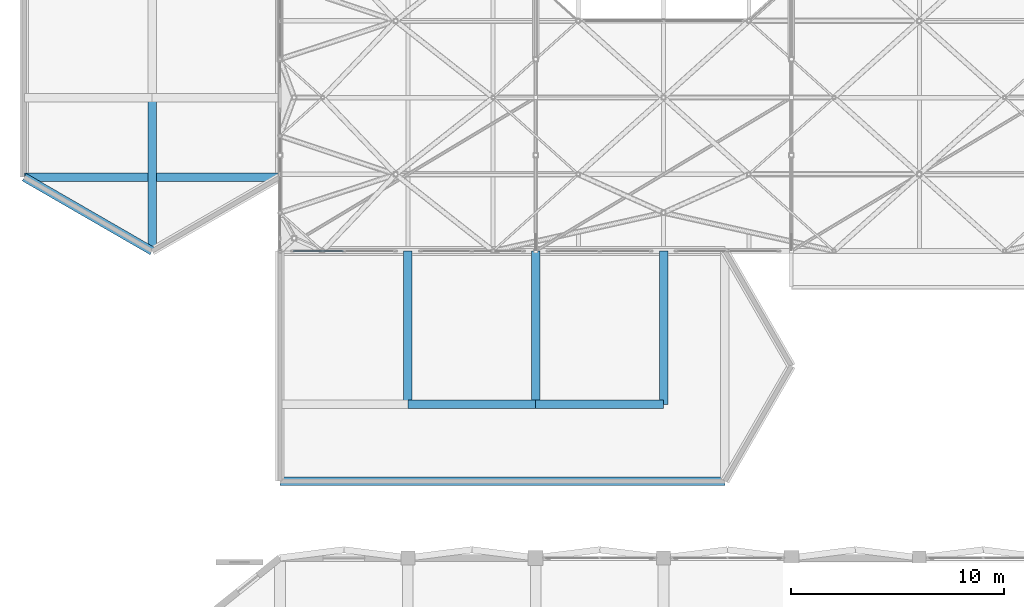
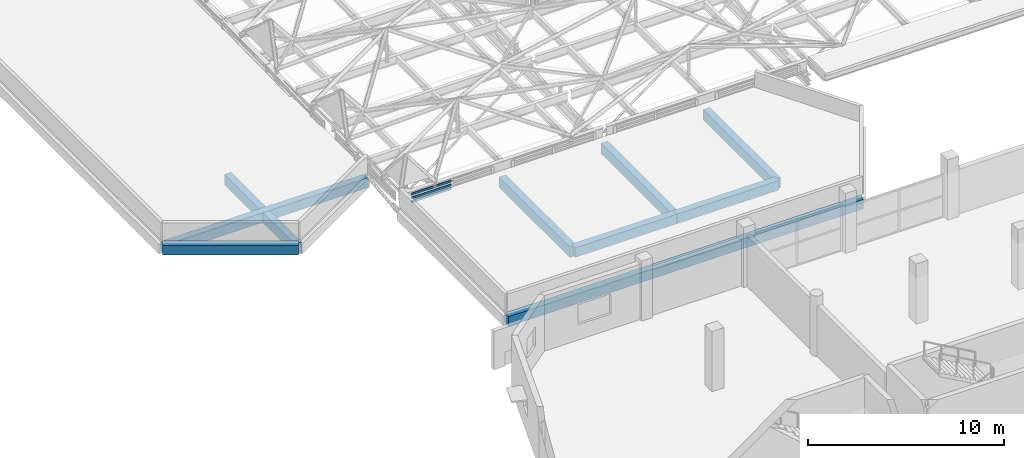
# One storey, part 6 of 239: 9 beams, 3 members, 1 element without a shape of its own.
"""IFC4 building model written with IfcOpenShell, lengths in metres."""

import ifcopenshell
import ifcopenshell.guid

model = None  # the IFC model being written
_history = None  # IfcOwnerHistory: only IFC2X3 demands one
_inside = {}  # id of a spatial element -> (the spatial element, [elements in it])
_under = {}  # id of a project, library or spatial element -> (it, [spatial elements below it])
_declared = {}  # id of a project -> (the project, [libraries it declares])
_typed = {}  # id of a type object -> (the type object, [elements of that type])
_made_of = {}  # id of a material, layer set ... -> (it, [elements and type objects made of it])


def new_model(schema):
    """Start an empty IFC model of exactly this schema.

    Asked for "IFC4X3", IfcOpenShell would pick the latest addendum, in which some entities
    have other attributes; the version numbers below select the first issue.
    IFC2X3 requires an IfcOwnerHistory on every rooted entity: one is made here for all.
    """
    global model, _history
    if schema == "IFC4X3":
        model = ifcopenshell.file(schema_version=(4, 3, 0, 0))
    else:
        model = ifcopenshell.file(schema=schema)
    _inside.clear()
    _under.clear()
    _declared.clear()
    _typed.clear()
    _made_of.clear()
    _history = None
    if model.schema == "IFC2X3":
        org = make("IfcOrganization", Name="unknown")
        user = make(
            "IfcPersonAndOrganization",
            ThePerson=make("IfcPerson", FamilyName="unknown"),
            TheOrganization=org,
        )
        app = make(
            "IfcApplication",
            ApplicationDeveloper=org,
            Version="unknown",
            ApplicationFullName="unknown",
            ApplicationIdentifier="unknown",
        )
        _history = make(
            "IfcOwnerHistory",
            OwningUser=user,
            OwningApplication=app,
            ChangeAction="ADDED",
            CreationDate=0,
        )
    return model


def make(cls, **values):
    """One entity of the class cls with the attributes given. An attribute that is None is left unset."""
    return model.create_entity(
        cls, **{name: value for name, value in values.items() if value is not None}
    )


def rooted(cls, **values):
    """An entity with a GlobalId (a new one), such as an element, a storey or a relation."""
    return make(cls, GlobalId=ifcopenshell.guid.new(), OwnerHistory=_history, **values)


def si_unit(unit_type, name, prefix=None):
    """IfcSIUnit, for example si_unit("LENGTHUNIT", "METRE", prefix="MILLI")."""
    return make("IfcSIUnit", UnitType=unit_type, Prefix=prefix, Name=name)


def assignment(units):
    """IfcUnitAssignment: the units of a project."""
    return None if units is None else make("IfcUnitAssignment", Units=units)


def point(xyz):
    """IfcCartesianPoint."""
    return None if xyz is None else make("IfcCartesianPoint", Coordinates=xyz)


def direction(xyz):
    """IfcDirection."""
    return None if xyz is None else make("IfcDirection", DirectionRatios=xyz)


def frame(location, z_axis=None, x_axis=None):
    """IfcAxis2Placement3D, a coordinate frame: its origin and axes. An axis left out is left unset."""
    return make(
        "IfcAxis2Placement3D",
        Location=point(location),
        Axis=direction(z_axis),
        RefDirection=direction(x_axis),
    )


def frame_2d(location, x_axis=None):
    """IfcAxis2Placement2D, a coordinate frame in the plane: its origin and x axis."""
    return make(
        "IfcAxis2Placement2D", Location=point(location), RefDirection=direction(x_axis)
    )


def origin():
    """The frame at (0, 0, 0) with its axes left unset."""
    return frame((0.0, 0.0, 0.0))


def origin_2d():
    """The frame at (0, 0) in the plane with its x axis left unset."""
    return frame_2d((0.0, 0.0))


def place(relative_to, where):
    """IfcLocalPlacement: puts the frame where relative to a parent placement (None: the world)."""
    return make(
        "IfcLocalPlacement", PlacementRelTo=relative_to, RelativePlacement=where
    )


def context(
    kind, dimensions, precision=None, world=None, true_north=None, identifier=None
):
    """IfcGeometricRepresentationContext, for example the 3D "Model" context."""
    return make(
        "IfcGeometricRepresentationContext",
        ContextIdentifier=identifier,
        ContextType=kind,
        CoordinateSpaceDimension=dimensions,
        Precision=precision,
        WorldCoordinateSystem=world,
        TrueNorth=true_north,
    )


def subcontext(parent, identifier, kind, view, scale=None):
    """IfcGeometricRepresentationSubContext, for example "Body" below "Model"."""
    return make(
        "IfcGeometricRepresentationSubContext",
        ContextIdentifier=identifier,
        ContextType=kind,
        ParentContext=parent,
        TargetScale=scale,
        TargetView=view,
    )


def project(units=None, contexts=None):
    """IfcProject with its units and contexts."""
    return rooted(
        "IfcProject",
        Name="project",
        RepresentationContexts=contexts,
        UnitsInContext=assignment(units),
    )


def spatial(cls, under=None, at=None, **own):
    """A site, building, storey or space (cls), placed at a placement, below another one or the project."""
    s = rooted(cls, ObjectPlacement=at, **own)
    if under is not None:
        _under.setdefault(under.id(), (under, []))[1].append(s)
    return s


def profile(cls, at=None, kind="AREA", **sizes):
    """A parametric profile (cls). Its sizes go by their IFC names, for example OverallWidth=200.0."""
    return make(cls, ProfileType=kind, Position=at, **sizes)


def rectangle(**sizes):
    """IfcRectangleProfileDef."""
    return profile("IfcRectangleProfileDef", **sizes)


def hollow_rectangle(**sizes):
    """IfcRectangleHollowProfileDef."""
    return profile("IfcRectangleHollowProfileDef", **sizes)


def extrude(swept, where, along, depth):
    """IfcExtrudedAreaSolid: the profile swept, set in the frame where, extruded along a direction by depth."""
    return make(
        "IfcExtrudedAreaSolid",
        SweptArea=swept,
        Position=where,
        ExtrudedDirection=direction(along),
        Depth=depth,
    )


def shape(context_of_items, identifier, shape_type, items):
    """IfcShapeRepresentation: the items that make up one representation, for example the "Body"."""
    return make(
        "IfcShapeRepresentation",
        ContextOfItems=context_of_items,
        RepresentationIdentifier=identifier,
        RepresentationType=shape_type,
        Items=items,
    )


def material(Name=None, Category=None):
    """IfcMaterial."""
    return make("IfcMaterial", Name=Name, Category=Category)


def layer(
    of_material, thickness, ventilated=None, Name=None, Category=None, Priority=None
):
    """IfcMaterialLayer: one layer of a wall or slab, of a material (None: an air gap)."""
    return make(
        "IfcMaterialLayer",
        Material=of_material,
        LayerThickness=thickness,
        IsVentilated=ventilated,
        Name=Name,
        Category=Category,
        Priority=Priority,
    )


def layer_set(layers, Name=None):
    """IfcMaterialLayerSet."""
    return make("IfcMaterialLayerSet", MaterialLayers=layers, LayerSetName=Name)


def material_profile(
    of_material, cross_section, Name=None, Category=None, Priority=None
):
    """IfcMaterialProfile: a cross section and its material."""
    return make(
        "IfcMaterialProfile",
        Name=Name,
        Material=of_material,
        Profile=cross_section,
        Priority=Priority,
        Category=Category,
    )


def profile_set(profiles, Name=None, composite=None):
    """IfcMaterialProfileSet."""
    return make(
        "IfcMaterialProfileSet",
        Name=Name,
        MaterialProfiles=profiles,
        CompositeProfile=composite,
    )


def made_of(thing, what):
    """Note that an element or type object is made of a material, layer set ...; save() writes the relation."""
    if what is not None:
        _made_of.setdefault(what.id(), (what, []))[1].append(thing)
    return thing


def type_object(cls, material=None, **own):
    """A type object (cls), such as IfcWallType, which elements share."""
    return made_of(rooted(cls, **own), material)


def element(
    cls,
    number,
    at=None,
    inside=None,
    cuts=None,
    type_object=None,
    material=None,
    context=None,
    identifier="Body",
    shape_type=None,
    held_by="IfcProductDefinitionShape",
    body=None,
    shapes=None,
    **own,
):
    """One element of the class cls, such as IfcWall. Its Tag is "e" and its number.

    at: its placement. inside: the storey or other place that contains it. cuts: it is an
    opening in that element (IfcRelVoidsElement). A single representation is given by context,
    identifier, shape_type and body (its items); several are given by shapes. held_by: the class
    of the entity that holds the representations. save() writes the other relations.
    """
    e = rooted(cls, Tag="e%d" % number, ObjectPlacement=at, **own)
    if body is not None:
        shapes = [shape(context, identifier, shape_type, body)]
    if shapes is not None:
        e.Representation = make(held_by, Representations=shapes)
    if inside is not None:
        _inside.setdefault(inside.id(), (inside, []))[1].append(e)
    if cuts is not None:
        rooted(
            "IfcRelVoidsElement", RelatingBuildingElement=cuts, RelatedOpeningElement=e
        )
    if type_object is not None:
        _typed.setdefault(type_object.id(), (type_object, []))[1].append(e)
    return made_of(e, material)


def aggregate(whole, parts):
    """IfcRelAggregates: a whole, such as a stair, and the parts it consists of."""
    return rooted("IfcRelAggregates", RelatingObject=whole, RelatedObjects=parts)


def save(model, path):
    """Write the relations noted so far, then the file.

    IfcRelAggregates (storeys below a building ...), IfcRelContainedInSpatialStructure (elements
    in a storey), IfcRelDefinesByType, IfcRelAssociatesMaterial and IfcRelDeclares: one each for
    every whole, place, type object, material and project.
    """
    for whole, parts in _under.values():
        aggregate(whole, parts)
    for where, things in _inside.values():
        rooted(
            "IfcRelContainedInSpatialStructure",
            RelatedElements=things,
            RelatingStructure=where,
        )
    for kind, things in _typed.values():
        rooted("IfcRelDefinesByType", RelatedObjects=things, RelatingType=kind)
    for what, things in _made_of.values():
        rooted("IfcRelAssociatesMaterial", RelatedObjects=things, RelatingMaterial=what)
    for by, libraries in _declared.values():
        rooted("IfcRelDeclares", RelatingContext=by, RelatedDefinitions=libraries)
    model.write(path)


model = new_model("IFC4")

# Units and contexts
model_context = context("Model", 3, precision=1e-05, world=origin(), true_north=direction((0.0, 1.0)))
body_context = subcontext(model_context, "Body", "Model", "MODEL_VIEW")
ifc_project = project(units=[si_unit("LENGTHUNIT", "METRE"), si_unit("AREAUNIT", "SQUARE_METRE"), si_unit("VOLUMEUNIT", "CUBIC_METRE"), si_unit("PLANEANGLEUNIT", "RADIAN"), si_unit("MASSUNIT", "GRAM", prefix="KILO")], contexts=[model_context])

# Site, building, storey
site_placement = place(None, origin())
site = spatial("IfcSite", under=ifc_project, at=site_placement, CompositionType="ELEMENT")
building_placement = place(site_placement, origin())
building = spatial("IfcBuilding", under=site, at=building_placement, Name="Dunvalen Ferry Terminal", CompositionType="ELEMENT")
storey_placement = place(building_placement, frame((0.0, 0.0, 9.840087890625)))
storey = spatial("IfcBuildingStorey", under=building, at=storey_placement, Name="L02", CompositionType="ELEMENT", Elevation=9.840087890625)

# Curtain wall, members
ifc_material_1 = material(Name="Anodised marine aluminium and solar-control glazing", Category="aluminium")
ifc_layer = layer(ifc_material_1, 0.219970703125, Name="Anodised marine aluminium and solar-control glazing")
ifc_layer_set = layer_set([ifc_layer], Name="Anodised marine aluminium and solar-control glazing")
curtain_wall_type = type_object("IfcCurtainWallType", Name="ENV-CW-SYS-02", PredefinedType="NOTDEFINED", material=ifc_layer_set)
curtain_wall_placement = place(storey_placement, origin())
curtain_wall = element("IfcCurtainWall", 1, at=curtain_wall_placement, inside=storey, type_object=curtain_wall_type, Name="L02 Curtain Wall CW-V1SW-CLR-01", PredefinedType="NOTDEFINED")
ifc_material_2 = material(Name="Anodised marine aluminium EN AW-6063 T6", Category="aluminium")
ifc_material_profile_1 = material_profile(ifc_material_2, hollow_rectangle(XDim=0.06005859375, YDim=0.135009765625, WallThickness=0.003173828125, InnerFilletRadius=0.003173828125, OuterFilletRadius=0.00634765625, at=origin_2d()), Name="Anodised marine aluminium EN AW-6063 T6")
ifc_profile_set_1 = profile_set([ifc_material_profile_1], Name="Anodised marine aluminium EN AW-6063 T6")
member_type = type_object("IfcMemberType", Name="ENV-CW-TRN-2", PredefinedType="USERDEFINED", material=ifc_profile_set_1)
member_1_placement = place(storey_placement, frame((12.6201171875, 50.39990234375, 0.27001953125), z_axis=(1.0, 0.0, 0.0), x_axis=(0.0, 1.0, 0.0)))
member_1 = element("IfcMember", 2, at=member_1_placement, type_object=member_type, Name="CW-02 transom 1.1", ObjectType="TRANSOM", PredefinedType="USERDEFINED", context=body_context, shape_type="SweptSolid", body=[
    extrude(hollow_rectangle(XDim=0.06005859375, YDim=0.135009765625, WallThickness=0.003173828125, InnerFilletRadius=0.003173828125, OuterFilletRadius=0.00634765625, at=origin_2d()), origin(), (0.0, 0.0, 1.0), 2.349853515625),
])
member_2_placement = place(storey_placement, frame((12.6201171875, 50.39990234375, 0.510009765625), z_axis=(1.0, 0.0, 0.0), x_axis=(0.0, 1.0, 0.0)))
member_2 = element("IfcMember", 3, at=member_2_placement, type_object=member_type, Name="CW-02 transom 1.2", ObjectType="TRANSOM", PredefinedType="USERDEFINED", context=body_context, shape_type="SweptSolid", body=[
    extrude(hollow_rectangle(XDim=0.06005859375, YDim=0.135009765625, WallThickness=0.003173828125, InnerFilletRadius=0.003173828125, OuterFilletRadius=0.00634765625, at=origin_2d()), origin(), (0.0, 0.0, 1.0), 2.349853515625),
])
member_3_placement = place(storey_placement, frame((12.6201171875, 50.39990234375, 0.75), z_axis=(1.0, 0.0, 0.0), x_axis=(0.0, 1.0, 0.0)))
member_3 = element("IfcMember", 4, at=member_3_placement, type_object=member_type, Name="CW-02 transom 1.3", ObjectType="TRANSOM", PredefinedType="USERDEFINED", context=body_context, shape_type="SweptSolid", body=[
    extrude(hollow_rectangle(XDim=0.06005859375, YDim=0.135009765625, WallThickness=0.003173828125, InnerFilletRadius=0.003173828125, OuterFilletRadius=0.00634765625, at=origin_2d()), origin(), (0.0, 0.0, 1.0), 2.349853515625),
])
aggregate(curtain_wall, [member_1, member_2, member_3])

# Beams
ifc_material_3 = material(Name="Concrete C35/45", Category="concrete")
ifc_material_profile_2 = material_profile(ifc_material_3, rectangle(XDim=0.39990234375, YDim=0.60009765625, at=origin_2d()), Name="Concrete C35/45")
ifc_profile_set_2 = profile_set([ifc_material_profile_2], Name="Concrete C35/45")
beam_type_1 = type_object("IfcBeamType", Name="STR-BM-RCB600", PredefinedType="BEAM", material=ifc_profile_set_2)
beam_1_placement = place(storey_placement, frame((0.0, 53.864013671875, -0.300048828125), z_axis=(0.866024796723, -0.500001051461, 0.0), x_axis=(0.500001051461, 0.866024796723, 0.0)))
element("IfcBeam", 5, at=beam_1_placement, inside=storey, type_object=beam_type_1, Name="L02 West Baggage Annex Ring Beam 06", PredefinedType="BEAM", context=body_context, shape_type="SweptSolid", body=[
    extrude(rectangle(XDim=0.39990234375, YDim=0.60009765625, at=origin_2d()), origin(), (0.0, 0.0, 1.0), 6.92822265625),
])
beam_2_placement = place(storey_placement, frame((0.0, 53.864013671875, -0.300048828125), z_axis=(1.0, 0.0, 0.0), x_axis=(0.0, 1.0, 0.0)))
element("IfcBeam", 6, at=beam_2_placement, inside=storey, type_object=beam_type_1, Name="L02 V1AW Primary Beam X-001", PredefinedType="BEAM", context=body_context, shape_type="SweptSolid", body=[
    extrude(rectangle(XDim=0.39990234375, YDim=0.60009765625, at=origin_2d()), origin(), (0.0, 0.0, 1.0), 12.0),
])
beam_3_placement = place(storey_placement, frame((12.0, 39.60009765625, -0.300048828125), z_axis=(1.0, 0.0, 0.0), x_axis=(0.0, 1.0, 0.0)))
element("IfcBeam", 7, at=beam_3_placement, inside=storey, type_object=beam_type_1, Name="L02 South-West Security Annex Ring Beam 01", PredefinedType="BEAM", context=body_context, shape_type="SweptSolid", body=[
    extrude(rectangle(XDim=0.39990234375, YDim=0.60009765625, at=origin_2d()), origin(), (0.0, 0.0, 1.0), 20.882080078125),
])
for number, where, z_axis, x_axis, name in (
    (8, (18.0, 43.199951171875, -0.300048828125), (1.0, 0.0, 0.0), (0.0, 1.0, 0.0), "L02 V1ASW Primary Beam X-002"),
    (9, (24.0, 43.199951171875, -0.300048828125), (1.0, 0.0, 0.0), (0.0, 1.0, 0.0), "L02 V1ASW Primary Beam X-003"),
):
    element("IfcBeam", number, at=place(storey_placement, frame(where, z_axis=z_axis, x_axis=x_axis)), inside=storey, type_object=beam_type_1, Name=name, PredefinedType="BEAM", context=body_context, shape_type="SweptSolid", body=[
        extrude(rectangle(XDim=0.39990234375, YDim=0.60009765625, at=origin_2d()), origin(), (0.0, 0.0, 1.0), 6.0),
    ])
ifc_material_4 = material(Name="Concrete C40/50", Category="concrete")
ifc_material_profile_3 = material_profile(ifc_material_4, rectangle(XDim=0.39990234375, YDim=0.64990234375, at=origin_2d()), Name="Concrete C40/50")
ifc_profile_set_3 = profile_set([ifc_material_profile_3], Name="Concrete C40/50")
beam_type_2 = type_object("IfcBeamType", Name="STR-BM-RCB650", PredefinedType="BEAM", material=ifc_profile_set_3)
beam_4_placement = place(storey_placement, frame((6.0, 50.39990234375, -0.3251953125), z_axis=(0.0, 1.0, 0.0), x_axis=(-1.0, 0.0, 0.0)))
element("IfcBeam", 10, at=beam_4_placement, inside=storey, type_object=beam_type_2, Name="L02 V1AW Primary Girder Y-016", PredefinedType="BEAM", context=body_context, shape_type="SweptSolid", body=[
    extrude(rectangle(XDim=0.39990234375, YDim=0.64990234375, at=origin_2d()), origin(), (0.0, 0.0, 1.0), 7.2001953125),
])
for number, where, z_axis, x_axis, name in (
    (11, (18.0, 43.199951171875, -0.3251953125), (0.0, 1.0, 0.0), (-1.0, 0.0, 0.0), "L02 V1ASW Primary Girder Y-010"),
    (12, (24.0, 43.199951171875, -0.3251953125), (0.0, 1.0, 0.0), (-1.0, 0.0, 0.0), "L02 V1ASW Primary Girder Y-011"),
    (13, (30.0, 43.199951171875, -0.3251953125), (0.0, 1.0, 0.0), (-1.0, 0.0, 0.0), "L02 V1ASW Primary Girder Y-012"),
):
    element("IfcBeam", number, at=place(storey_placement, frame(where, z_axis=z_axis, x_axis=x_axis)), inside=storey, type_object=beam_type_2, Name=name, PredefinedType="BEAM", context=body_context, shape_type="SweptSolid", body=[
        extrude(rectangle(XDim=0.39990234375, YDim=0.64990234375, at=origin_2d()), origin(), (0.0, 0.0, 1.0), 7.199951171875),
    ])

save(model, "model.ifc")
